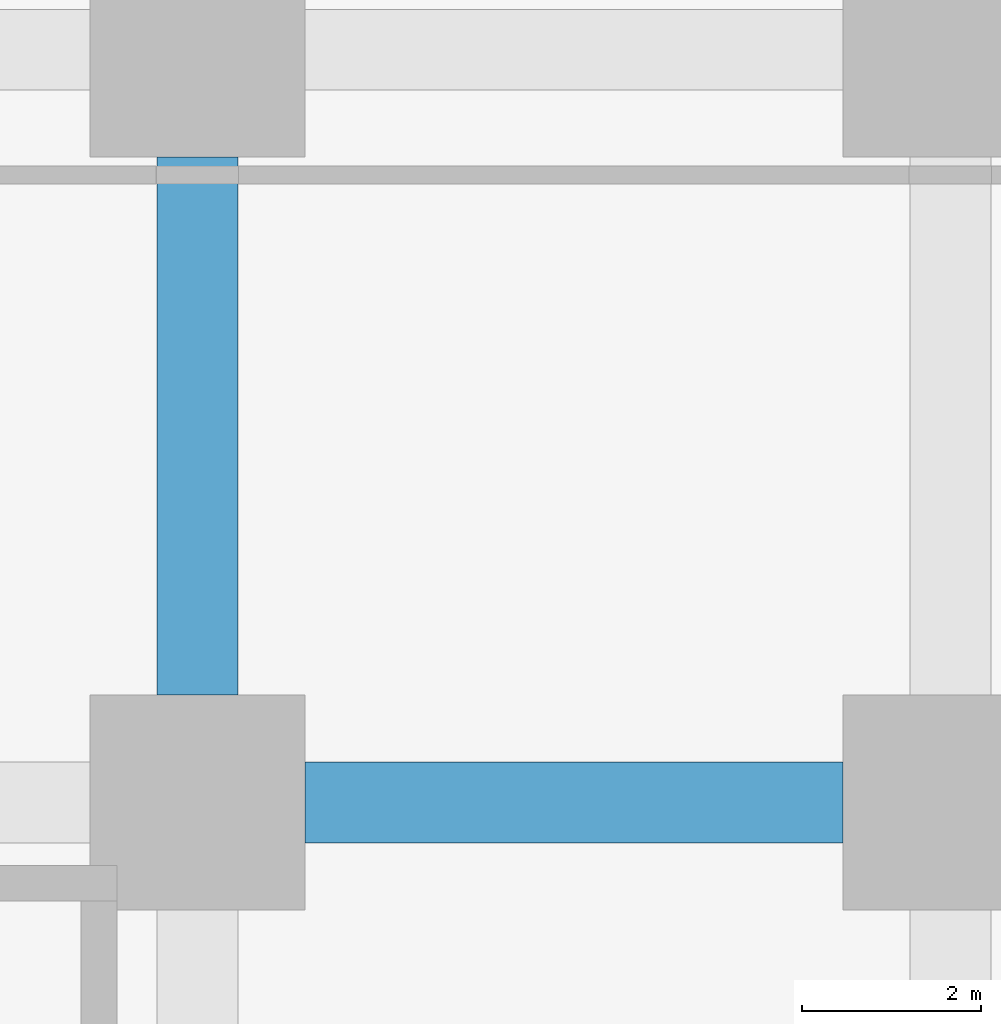
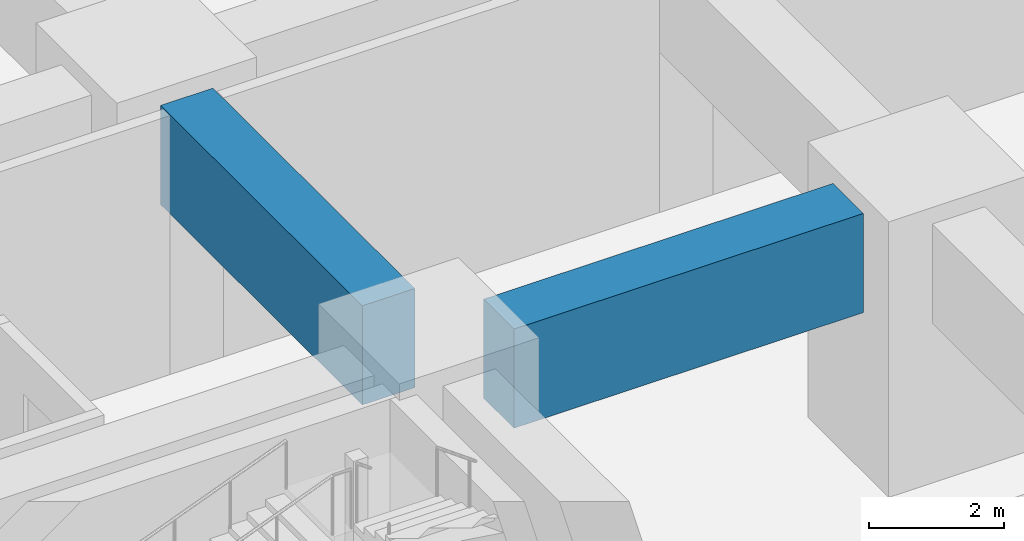
# One storey, part 18 of 48: 2 beams.
"""IFC4 building model written with IfcOpenShell, lengths in metres."""

from ifc_helpers import new_model, si_unit, direction, frame, origin, origin_2d, place, context, subcontext, project, spatial, rectangle, extrude, material, material_profile, profile_set, type_object, element, save


model = new_model("IFC4")

# Units and contexts
model_context = context("Model", 3, precision=1e-05, world=origin(), true_north=direction((0.0, 1.0)))
body_context = subcontext(model_context, "Body", "Model", "MODEL_VIEW")
ifc_project = project(units=[si_unit("LENGTHUNIT", "METRE"), si_unit("AREAUNIT", "SQUARE_METRE"), si_unit("VOLUMEUNIT", "CUBIC_METRE"), si_unit("PLANEANGLEUNIT", "RADIAN"), si_unit("MASSUNIT", "GRAM", prefix="KILO")], contexts=[model_context])

# Site, building, storey
site_placement = place(None, origin())
site = spatial("IfcSite", under=ifc_project, at=site_placement, CompositionType="ELEMENT")
building_placement = place(site_placement, origin())
building = spatial("IfcBuilding", under=site, at=building_placement, Name="Rekha Terrace Tower", CompositionType="ELEMENT")
storey_placement = place(building_placement, frame((0.0, 0.0, 15.39990234375)))
storey = spatial("IfcBuildingStorey", under=building, at=storey_placement, Name="L03", CompositionType="ELEMENT", Elevation=15.39990234375)

# Beams
ifc_material = material(Name="Concrete M60", Category="concrete")
ifc_material_profile = material_profile(ifc_material, rectangle(XDim=0.89990234375, YDim=1.800048828125, at=origin_2d()), Name="RC 900x1800")
ifc_profile_set = profile_set([ifc_material_profile], Name="Concrete M60")
beam_type = type_object("IfcBeamType", Name="G1 900x1800 podium floor beam", PredefinedType="BEAM", material=ifc_profile_set)
for number, where, z_axis, x_axis, name in (
    (1, (9.60009765625, 33.60009765625, 3.800048828125), (1.0, 0.0, 0.0), (0.0, 1.0, 0.0), "Beam G1 2E-3E under L04"),
    (2, (8.39990234375, 34.800048828125, 3.800048828125), (0.0, 1.0, 0.0), (-1.0, 0.0, 0.0), "Beam G1 2E-2F under L04"),
):
    element("IfcBeam", number, at=place(storey_placement, frame(where, z_axis=z_axis, x_axis=x_axis)), inside=storey, type_object=beam_type, Name=name, PredefinedType="BEAM", context=body_context, shape_type="SweptSolid", body=[
        extrude(rectangle(XDim=0.89990234375, YDim=1.800048828125, at=origin_2d()), origin(), (0.0, 0.0, 1.0), 6.0),
    ])

save(model, "model.ifc")
